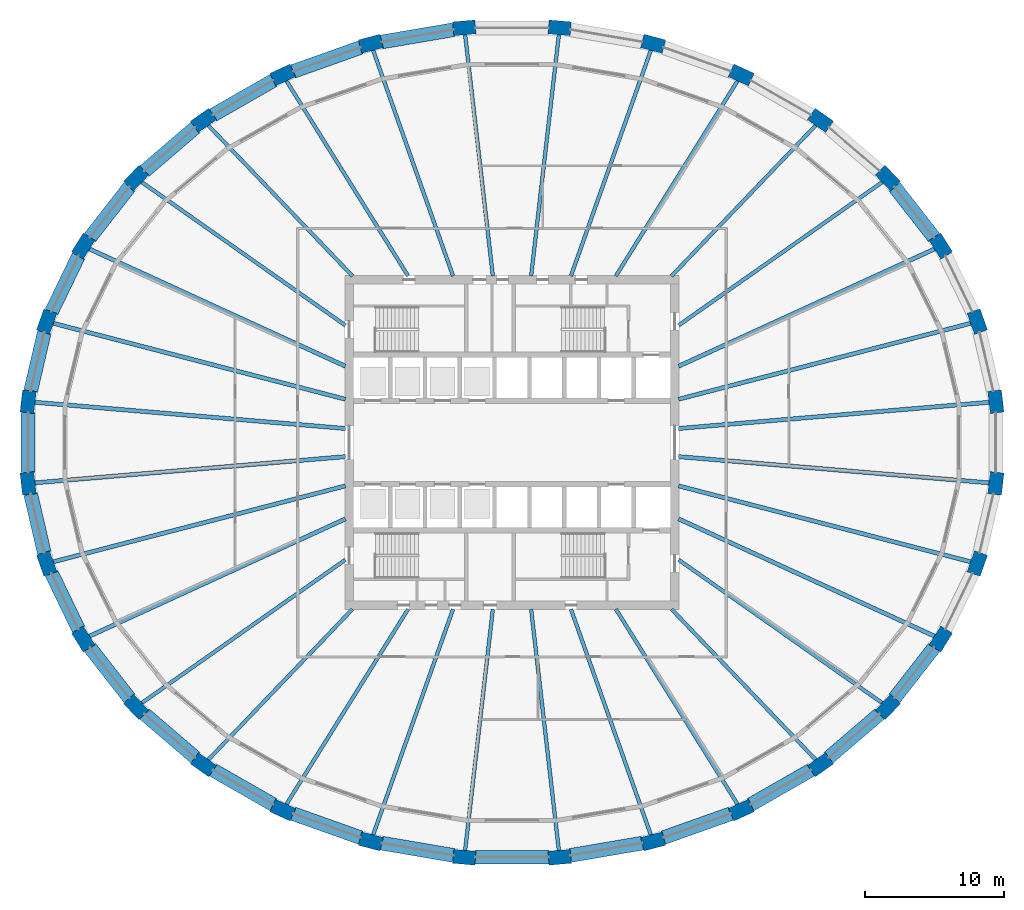
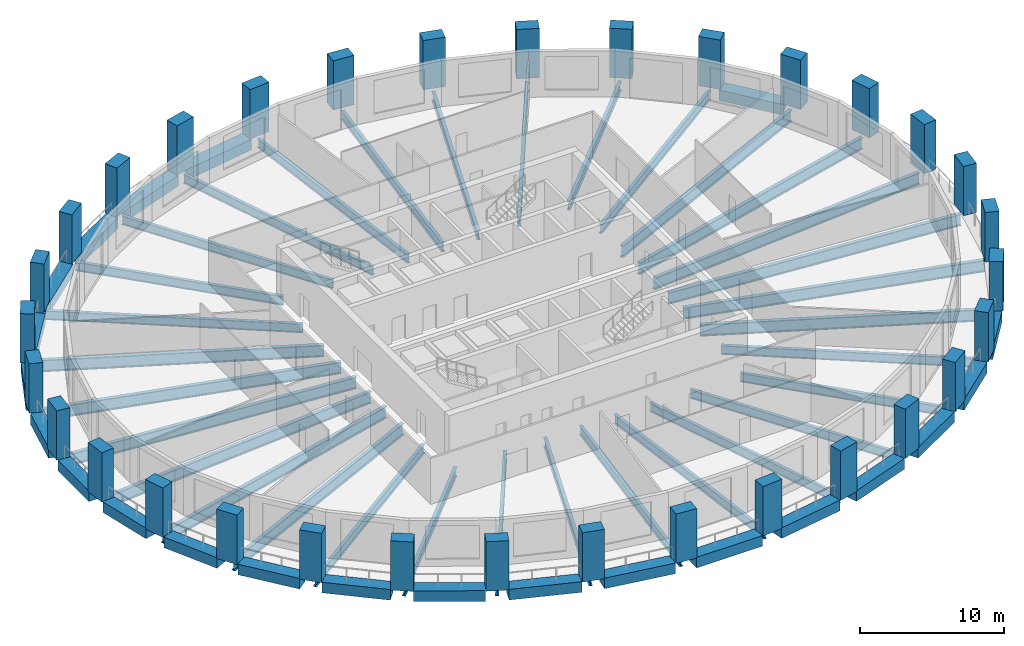
# One storey, part 1 of 10: 54 beams, 32 columns.
"""IFC4 building model written with IfcOpenShell, lengths in metres."""

from ifc_helpers import new_model, si_unit, direction, frame, origin, origin_2d, place, context, subcontext, project, spatial, rectangle, i_section, extrude, material, material_profile, profile_set, type_object, element, save


model = new_model("IFC4")

# Units and contexts
model_context = context("Model", 3, precision=1e-05, world=origin(), true_north=direction((0.0, 1.0)))
body_context = subcontext(model_context, "Body", "Model", "MODEL_VIEW")
ifc_project = project(units=[si_unit("LENGTHUNIT", "METRE"), si_unit("AREAUNIT", "SQUARE_METRE"), si_unit("VOLUMEUNIT", "CUBIC_METRE"), si_unit("PLANEANGLEUNIT", "RADIAN"), si_unit("MASSUNIT", "GRAM", prefix="KILO")], contexts=[model_context])

# Site, building, storey
site_placement = place(None, origin())
site = spatial("IfcSite", under=ifc_project, at=site_placement, CompositionType="ELEMENT")
building_placement = place(site_placement, origin())
building = spatial("IfcBuilding", under=site, at=building_placement, Name="Halqa Exchange Tower", CompositionType="ELEMENT")
storey_placement = place(building_placement, frame((0.0, 0.0, 121.300048828125)))
storey = spatial("IfcBuildingStorey", under=building, at=storey_placement, Name="L27", CompositionType="ELEMENT", Elevation=121.300048828125)

# Columns
ifc_material_1 = material(Name="Concrete C70/85", Category="concrete")
ifc_material_profile_1 = material_profile(ifc_material_1, rectangle(XDim=1.60009765625, YDim=1.0, at=origin_2d()), Name="1600 x 1000")
ifc_profile_set_1 = profile_set([ifc_material_profile_1], Name="Concrete C70/85")
column_type = type_object("IfcColumnType", Name="RC ring column 1600 x 1000 C70/85", PredefinedType="COLUMN", material=ifc_profile_set_1)
for number, where, z_axis, x_axis, name in (
    (1, (34.779052734375, 2.93603515625, 0.0), (0.0, 0.0, 1.0), (-0.114151720218, 0.993463328348, 0.0), "Ring column 1"),
    (2, (33.442626953125, 8.6953125, 0.0), (0.0, 0.0, 1.0), (-0.333624233576, 0.942706142321, 0.0), "Ring column 2"),
    (3, (30.82080078125, 14.12060546875, 0.0), (0.0, 0.0, 1.0), (-0.529141977228, 0.848533303964, 0.0), "Ring column 3"),
    (4, (27.0146484375, 19.003173828125, 0.0), (0.0, 0.0, 1.0), (-0.691573569977, 0.722306027463, 0.0), "Ring column 4"),
    (5, (22.17041015625, 23.155517578125, 0.0), (0.0, 0.0, 1.0), (-0.817906779671, 0.575350762377, 0.0), "Ring column 5"),
    (6, (16.47412109375, 26.41796875, 0.0), (0.0, 0.0, 1.0), (-0.909127095833, 0.416518815449, 0.0), "Ring column 6"),
    (7, (10.144775390625, 28.6650390625, 0.0), (0.0, 0.0, 1.0), (-0.967819942774, 0.251643713153, 0.0), "Ring column 7"),
    (8, (3.42529296875, 29.810791015625, 0.0), (0.0, 0.0, 1.0), (-0.996455518985, 0.084121333105, 0.0), "Ring column 8"),
    (9, (-3.42529296875, 29.810791015625, 0.0), (0.0, 0.0, 1.0), (-0.996455518985, -0.084121333105, 0.0), "Ring column 9"),
    (10, (-10.144775390625, 28.6650390625, 0.0), (0.0, 0.0, 1.0), (-0.967819942774, -0.251643713153, 0.0), "Ring column 10"),
    (11, (-16.47412109375, 26.41796875, 0.0), (0.0, 0.0, 1.0), (-0.909127095833, -0.416518815449, 0.0), "Ring column 11"),
    (12, (-22.17041015625, 23.155517578125, 0.0), (0.0, 0.0, 1.0), (-0.817906779671, -0.575350762377, 0.0), "Ring column 12"),
    (13, (-27.0146484375, 19.003173828125, 0.0), (0.0, 0.0, 1.0), (-0.691573569977, -0.722306027463, 0.0), "Ring column 13"),
    (14, (-30.82080078125, 14.12060546875, 0.0), (0.0, 0.0, 1.0), (-0.529141977228, -0.848533303964, 0.0), "Ring column 14"),
    (15, (-33.442626953125, 8.6953125, 0.0), (0.0, 0.0, 1.0), (-0.333624233576, -0.942706142321, 0.0), "Ring column 15"),
    (16, (-34.779052734375, 2.93603515625, 0.0), (0.0, 0.0, 1.0), (-0.114151720218, -0.993463328348, 0.0), "Ring column 16"),
    (17, (-34.779052734375, -2.93603515625, 0.0), (0.0, 0.0, 1.0), (0.114151720218, -0.993463328348, 0.0), "Ring column 17"),
    (18, (-33.442626953125, -8.6953125, 0.0), (0.0, 0.0, 1.0), (0.333624233576, -0.942706142321, 0.0), "Ring column 18"),
    (19, (-30.82080078125, -14.12060546875, 0.0), (0.0, 0.0, 1.0), (0.529141977228, -0.848533303964, 0.0), "Ring column 19"),
    (20, (-27.0146484375, -19.003173828125, 0.0), (0.0, 0.0, 1.0), (0.691573569977, -0.722306027463, 0.0), "Ring column 20"),
    (21, (-22.17041015625, -23.155517578125, 0.0), (0.0, 0.0, 1.0), (0.817906779671, -0.575350762377, 0.0), "Ring column 21"),
    (22, (-16.47412109375, -26.41796875, 0.0), (0.0, 0.0, 1.0), (0.909127095833, -0.416518815449, 0.0), "Ring column 22"),
    (23, (-10.144775390625, -28.6650390625, 0.0), (0.0, 0.0, 1.0), (0.967819942774, -0.251643713153, 0.0), "Ring column 23"),
    (24, (-3.42529296875, -29.810791015625, 0.0), (0.0, 0.0, 1.0), (0.996455518985, -0.084121333105, 0.0), "Ring column 24"),
    (25, (3.42529296875, -29.810791015625, 0.0), (0.0, 0.0, 1.0), (0.996455518985, 0.084121333105, 0.0), "Ring column 25"),
    (26, (10.144775390625, -28.6650390625, 0.0), (0.0, 0.0, 1.0), (0.967819942774, 0.251643713153, 0.0), "Ring column 26"),
    (27, (16.47412109375, -26.41796875, 0.0), (0.0, 0.0, 1.0), (0.909127095833, 0.416518815449, 0.0), "Ring column 27"),
    (28, (22.17041015625, -23.155517578125, 0.0), (0.0, 0.0, 1.0), (0.817906779671, 0.575350762377, 0.0), "Ring column 28"),
    (29, (27.0146484375, -19.003173828125, 0.0), (0.0, 0.0, 1.0), (0.691573569977, 0.722306027463, 0.0), "Ring column 29"),
    (30, (30.82080078125, -14.12060546875, 0.0), (0.0, 0.0, 1.0), (0.529141977228, 0.848533303964, 0.0), "Ring column 30"),
    (31, (33.442626953125, -8.6953125, 0.0), (0.0, 0.0, 1.0), (0.333624233576, 0.942706142321, 0.0), "Ring column 31"),
    (32, (34.779052734375, -2.93603515625, 0.0), (0.0, 0.0, 1.0), (0.114151720218, 0.993463328348, 0.0), "Ring column 32"),
):
    element("IfcColumn", number, at=place(storey_placement, frame(where, z_axis=z_axis, x_axis=x_axis)), inside=storey, type_object=column_type, Name=name, PredefinedType="COLUMN", context=body_context, shape_type="SweptSolid", body=[
        extrude(rectangle(XDim=1.60009765625, YDim=1.0, at=origin_2d()), origin(), (0.0, 0.0, 1.0), 4.199951171875),
    ])

# Beams
ifc_material_2 = material(Name="Steel S355", Category="steel")
ifc_material_profile_2 = material_profile(ifc_material_2, i_section(OverallWidth=0.300048828125, OverallDepth=0.989990234375, WebThickness=0.0166015625, FlangeThickness=0.031005859375, FilletRadius=0.030029296875, at=origin_2d()), Name="HEA 1000")
ifc_profile_set_2 = profile_set([ifc_material_profile_2], Name="Steel S355")
beam_type_1 = type_object("IfcBeamType", Name="Floor beam HEA 1000", PredefinedType="BEAM", material=ifc_profile_set_2)
beam_1_placement = place(storey_placement, frame((11.972412109375, 1.0107421875, -0.795166015625), z_axis=(0.996455592278, 0.084120464916, 0.0), x_axis=(-0.084120464916, 0.996455592278, 0.0)))
element("IfcBeam", 33, at=beam_1_placement, inside=storey, type_object=beam_type_1, Name="Radial beam 1", PredefinedType="BEAM", context=body_context, shape_type="SweptSolid", body=[
    extrude(i_section(OverallWidth=0.300048828125, OverallDepth=0.989990234375, WebThickness=0.0166015625, FlangeThickness=0.031005859375, FilletRadius=0.030029296875, at=origin_2d()), origin(), (0.0, 0.0, 1.0), 22.515869140625),
])
beam_2_placement = place(storey_placement, frame((11.97119140625, 3.112548828125, -0.795166015625), z_axis=(0.967818799343, 0.251648110738, 0.0), x_axis=(-0.251648110738, 0.967818799343, 0.0)))
element("IfcBeam", 34, at=beam_2_placement, inside=storey, type_object=beam_type_1, Name="Radial beam 2", PredefinedType="BEAM", context=body_context, shape_type="SweptSolid", body=[
    extrude(i_section(OverallWidth=0.300048828125, OverallDepth=0.989990234375, WebThickness=0.0166015625, FlangeThickness=0.031005859375, FilletRadius=0.030029296875, at=origin_2d()), origin(), (0.0, 0.0, 1.0), 21.811279296875),
])
for number, where, z_axis, x_axis, name in (
    (35, (11.972412109375, 5.485107421875, -0.795166015625), (0.909124057245, 0.416525447649, 0.0), (-0.416525447649, 0.909124057245, 0.0), "Radial beam 3"),
    (36, (-11.972412109375, 5.485107421875, -0.795166015625), (-0.909124057245, 0.416525447649, 0.0), (-0.416525447649, -0.909124057245, 0.0), "Radial beam 14"),
):
    element("IfcBeam", number, at=place(storey_placement, frame(where, z_axis=z_axis, x_axis=x_axis)), inside=storey, type_object=beam_type_1, Name=name, PredefinedType="BEAM", context=body_context, shape_type="SweptSolid", body=[
        extrude(i_section(OverallWidth=0.300048828125, OverallDepth=0.989990234375, WebThickness=0.0166015625, FlangeThickness=0.031005859375, FilletRadius=0.030029296875, at=origin_2d()), origin(), (0.0, 0.0, 1.0), 20.3564453125),
    ])
beam_3_placement = place(storey_placement, frame((-11.97119140625, 3.112548828125, -0.795166015625), z_axis=(-0.967818799343, 0.251648110738, 0.0), x_axis=(-0.251648110738, -0.967818799343, 0.0)))
element("IfcBeam", 37, at=beam_3_placement, inside=storey, type_object=beam_type_1, Name="Radial beam 15", PredefinedType="BEAM", context=body_context, shape_type="SweptSolid", body=[
    extrude(i_section(OverallWidth=0.300048828125, OverallDepth=0.989990234375, WebThickness=0.0166015625, FlangeThickness=0.031005859375, FilletRadius=0.030029296875, at=origin_2d()), origin(), (0.0, 0.0, 1.0), 21.811279296875),
])
for number, where, z_axis, x_axis, name in (
    (38, (-11.972412109375, 1.0107421875, -0.795166015625), (-0.996455592278, 0.084120464916, 0.0), (-0.084120464916, -0.996455592278, 0.0), "Radial beam 16"),
    (39, (-11.972412109375, -1.0107421875, -0.795166015625), (-0.996455592278, -0.084120464916, 0.0), (0.084120464916, -0.996455592278, 0.0), "Radial beam 17"),
):
    element("IfcBeam", number, at=place(storey_placement, frame(where, z_axis=z_axis, x_axis=x_axis)), inside=storey, type_object=beam_type_1, Name=name, PredefinedType="BEAM", context=body_context, shape_type="SweptSolid", body=[
        extrude(i_section(OverallWidth=0.300048828125, OverallDepth=0.989990234375, WebThickness=0.0166015625, FlangeThickness=0.031005859375, FilletRadius=0.030029296875, at=origin_2d()), origin(), (0.0, 0.0, 1.0), 22.515869140625),
    ])
beam_4_placement = place(storey_placement, frame((-11.97119140625, -3.112548828125, -0.795166015625), z_axis=(-0.967818799343, -0.251648110738, 0.0), x_axis=(0.251648110738, -0.967818799343, 0.0)))
element("IfcBeam", 40, at=beam_4_placement, inside=storey, type_object=beam_type_1, Name="Radial beam 18", PredefinedType="BEAM", context=body_context, shape_type="SweptSolid", body=[
    extrude(i_section(OverallWidth=0.300048828125, OverallDepth=0.989990234375, WebThickness=0.0166015625, FlangeThickness=0.031005859375, FilletRadius=0.030029296875, at=origin_2d()), origin(), (0.0, 0.0, 1.0), 21.811279296875),
])
for number, where, z_axis, x_axis, name in (
    (41, (-11.972412109375, -5.485107421875, -0.795166015625), (-0.909124057245, -0.416525447649, 0.0), (0.416525447649, -0.909124057245, 0.0), "Radial beam 19"),
    (42, (11.972412109375, -5.485107421875, -0.795166015625), (0.909124057245, -0.416525447649, 0.0), (0.416525447649, 0.909124057245, 0.0), "Radial beam 30"),
):
    element("IfcBeam", number, at=place(storey_placement, frame(where, z_axis=z_axis, x_axis=x_axis)), inside=storey, type_object=beam_type_1, Name=name, PredefinedType="BEAM", context=body_context, shape_type="SweptSolid", body=[
        extrude(i_section(OverallWidth=0.300048828125, OverallDepth=0.989990234375, WebThickness=0.0166015625, FlangeThickness=0.031005859375, FilletRadius=0.030029296875, at=origin_2d()), origin(), (0.0, 0.0, 1.0), 20.3564453125),
    ])
beam_5_placement = place(storey_placement, frame((11.97119140625, -3.112548828125, -0.795166015625), z_axis=(0.967818799343, -0.251648110738, 0.0), x_axis=(0.251648110738, 0.967818799343, 0.0)))
element("IfcBeam", 43, at=beam_5_placement, inside=storey, type_object=beam_type_1, Name="Radial beam 31", PredefinedType="BEAM", context=body_context, shape_type="SweptSolid", body=[
    extrude(i_section(OverallWidth=0.300048828125, OverallDepth=0.989990234375, WebThickness=0.0166015625, FlangeThickness=0.031005859375, FilletRadius=0.030029296875, at=origin_2d()), origin(), (0.0, 0.0, 1.0), 21.811279296875),
])
beam_6_placement = place(storey_placement, frame((11.972412109375, -1.0107421875, -0.795166015625), z_axis=(0.996455592278, -0.084120464916, 0.0), x_axis=(0.084120464916, 0.996455592278, 0.0)))
element("IfcBeam", 44, at=beam_6_placement, inside=storey, type_object=beam_type_1, Name="Radial beam 32", PredefinedType="BEAM", context=body_context, shape_type="SweptSolid", body=[
    extrude(i_section(OverallWidth=0.300048828125, OverallDepth=0.989990234375, WebThickness=0.0166015625, FlangeThickness=0.031005859375, FilletRadius=0.030029296875, at=origin_2d()), origin(), (0.0, 0.0, 1.0), 22.515869140625),
])
ifc_material_profile_3 = material_profile(ifc_material_2, i_section(OverallWidth=0.264892578125, OverallDepth=0.7529296875, WebThickness=0.01318359375, FlangeThickness=0.01708984375, FilletRadius=0.01708984375, at=origin_2d()), Name="IPE 750x147")
ifc_profile_set_3 = profile_set([ifc_material_profile_3], Name="Steel S355")
beam_type_2 = type_object("IfcBeamType", Name="Floor beam IPE 750x147", PredefinedType="BEAM", material=ifc_profile_set_3)
beam_7_placement = place(storey_placement, frame((11.97216796875, 8.421630859375, -0.676513671875), z_axis=(0.817908690116, 0.575348046518, 0.0), x_axis=(-0.575348046518, 0.817908690116, 0.0)))
element("IfcBeam", 45, at=beam_7_placement, inside=storey, type_object=beam_type_2, Name="Radial beam 4", PredefinedType="BEAM", context=body_context, shape_type="SweptSolid", body=[
    extrude(i_section(OverallWidth=0.264892578125, OverallDepth=0.7529296875, WebThickness=0.01318359375, FlangeThickness=0.01708984375, FilletRadius=0.01708984375, at=origin_2d()), origin(), (0.0, 0.0, 1.0), 18.015625),
])
beam_8_placement = place(storey_placement, frame((11.462890625, 11.97216796875, -0.676513671875), z_axis=(0.691578854381, 0.722300967861, 0.0), x_axis=(-0.722300967861, 0.691578854381, 0.0)))
element("IfcBeam", 46, at=beam_8_placement, inside=storey, type_object=beam_type_2, Name="Radial beam 5", PredefinedType="BEAM", context=body_context, shape_type="SweptSolid", body=[
    extrude(i_section(OverallWidth=0.264892578125, OverallDepth=0.7529296875, WebThickness=0.01318359375, FlangeThickness=0.01708984375, FilletRadius=0.01708984375, at=origin_2d()), origin(), (0.0, 0.0, 1.0), 15.106689453125),
])
beam_9_placement = place(storey_placement, frame((7.466064453125, 11.972412109375, -0.676513671875), z_axis=(0.529136571558, 0.848536674894, 0.0), x_axis=(-0.848536674894, 0.529136571558, 0.0)))
element("IfcBeam", 47, at=beam_9_placement, inside=storey, type_object=beam_type_2, Name="Radial beam 6", PredefinedType="BEAM", context=body_context, shape_type="SweptSolid", body=[
    extrude(i_section(OverallWidth=0.264892578125, OverallDepth=0.7529296875, WebThickness=0.01318359375, FlangeThickness=0.01708984375, FilletRadius=0.01708984375, at=origin_2d()), origin(), (0.0, 0.0, 1.0), 16.64794921875),
])
beam_10_placement = place(storey_placement, frame((4.23681640625, 11.9716796875, -0.676513671875), z_axis=(0.333633340588, 0.942702919295, 0.0), x_axis=(-0.942702919295, 0.333633340588, 0.0)))
element("IfcBeam", 48, at=beam_10_placement, inside=storey, type_object=beam_type_2, Name="Radial beam 7", PredefinedType="BEAM", context=body_context, shape_type="SweptSolid", body=[
    extrude(i_section(OverallWidth=0.264892578125, OverallDepth=0.7529296875, WebThickness=0.01318359375, FlangeThickness=0.01708984375, FilletRadius=0.01708984375, at=origin_2d()), origin(), (0.0, 0.0, 1.0), 17.333984375),
])
for number, where, z_axis, x_axis, name in (
    (49, (1.375732421875, 11.972900390625, -0.676513671875), (0.114147670823, 0.993463793626, 0.0), (-0.993463793626, 0.114147670823, 0.0), "Radial beam 8"),
    (50, (-1.375732421875, 11.972900390625, -0.676513671875), (-0.114147670823, 0.993463793626, 0.0), (-0.993463793626, -0.114147670823, 0.0), "Radial beam 9"),
):
    element("IfcBeam", number, at=place(storey_placement, frame(where, z_axis=z_axis, x_axis=x_axis)), inside=storey, type_object=beam_type_2, Name=name, PredefinedType="BEAM", context=body_context, shape_type="SweptSolid", body=[
        extrude(i_section(OverallWidth=0.264892578125, OverallDepth=0.7529296875, WebThickness=0.01318359375, FlangeThickness=0.01708984375, FilletRadius=0.01708984375, at=origin_2d()), origin(), (0.0, 0.0, 1.0), 17.583251953125),
    ])
beam_11_placement = place(storey_placement, frame((-4.23681640625, 11.9716796875, -0.676513671875), z_axis=(-0.333633340588, 0.942702919295, 0.0), x_axis=(-0.942702919295, -0.333633340588, 0.0)))
element("IfcBeam", 51, at=beam_11_placement, inside=storey, type_object=beam_type_2, Name="Radial beam 10", PredefinedType="BEAM", context=body_context, shape_type="SweptSolid", body=[
    extrude(i_section(OverallWidth=0.264892578125, OverallDepth=0.7529296875, WebThickness=0.01318359375, FlangeThickness=0.01708984375, FilletRadius=0.01708984375, at=origin_2d()), origin(), (0.0, 0.0, 1.0), 17.333984375),
])
beam_12_placement = place(storey_placement, frame((-7.466064453125, 11.972412109375, -0.676513671875), z_axis=(-0.529136571558, 0.848536674894, 0.0), x_axis=(-0.848536674894, -0.529136571558, 0.0)))
element("IfcBeam", 52, at=beam_12_placement, inside=storey, type_object=beam_type_2, Name="Radial beam 11", PredefinedType="BEAM", context=body_context, shape_type="SweptSolid", body=[
    extrude(i_section(OverallWidth=0.264892578125, OverallDepth=0.7529296875, WebThickness=0.01318359375, FlangeThickness=0.01708984375, FilletRadius=0.01708984375, at=origin_2d()), origin(), (0.0, 0.0, 1.0), 16.64794921875),
])
beam_13_placement = place(storey_placement, frame((-11.462890625, 11.97216796875, -0.676513671875), z_axis=(-0.691578854381, 0.722300967861, 0.0), x_axis=(-0.722300967861, -0.691578854381, 0.0)))
element("IfcBeam", 53, at=beam_13_placement, inside=storey, type_object=beam_type_2, Name="Radial beam 12", PredefinedType="BEAM", context=body_context, shape_type="SweptSolid", body=[
    extrude(i_section(OverallWidth=0.264892578125, OverallDepth=0.7529296875, WebThickness=0.01318359375, FlangeThickness=0.01708984375, FilletRadius=0.01708984375, at=origin_2d()), origin(), (0.0, 0.0, 1.0), 15.106689453125),
])
for number, where, z_axis, x_axis, name in (
    (54, (-11.97216796875, 8.421630859375, -0.676513671875), (-0.817908690116, 0.575348046518, 0.0), (-0.575348046518, -0.817908690116, 0.0), "Radial beam 13"),
    (55, (-11.97216796875, -8.421630859375, -0.676513671875), (-0.817908690116, -0.575348046518, 0.0), (0.575348046518, -0.817908690116, 0.0), "Radial beam 20"),
):
    element("IfcBeam", number, at=place(storey_placement, frame(where, z_axis=z_axis, x_axis=x_axis)), inside=storey, type_object=beam_type_2, Name=name, PredefinedType="BEAM", context=body_context, shape_type="SweptSolid", body=[
        extrude(i_section(OverallWidth=0.264892578125, OverallDepth=0.7529296875, WebThickness=0.01318359375, FlangeThickness=0.01708984375, FilletRadius=0.01708984375, at=origin_2d()), origin(), (0.0, 0.0, 1.0), 18.015625),
    ])
beam_14_placement = place(storey_placement, frame((-11.462890625, -11.97216796875, -0.676513671875), z_axis=(-0.691578854381, -0.722300967861, 0.0), x_axis=(0.722300967861, -0.691578854381, 0.0)))
element("IfcBeam", 56, at=beam_14_placement, inside=storey, type_object=beam_type_2, Name="Radial beam 21", PredefinedType="BEAM", context=body_context, shape_type="SweptSolid", body=[
    extrude(i_section(OverallWidth=0.264892578125, OverallDepth=0.7529296875, WebThickness=0.01318359375, FlangeThickness=0.01708984375, FilletRadius=0.01708984375, at=origin_2d()), origin(), (0.0, 0.0, 1.0), 15.106689453125),
])
beam_15_placement = place(storey_placement, frame((-7.466064453125, -11.972412109375, -0.676513671875), z_axis=(-0.529136571558, -0.848536674894, 0.0), x_axis=(0.848536674894, -0.529136571558, 0.0)))
element("IfcBeam", 57, at=beam_15_placement, inside=storey, type_object=beam_type_2, Name="Radial beam 22", PredefinedType="BEAM", context=body_context, shape_type="SweptSolid", body=[
    extrude(i_section(OverallWidth=0.264892578125, OverallDepth=0.7529296875, WebThickness=0.01318359375, FlangeThickness=0.01708984375, FilletRadius=0.01708984375, at=origin_2d()), origin(), (0.0, 0.0, 1.0), 16.64794921875),
])
beam_16_placement = place(storey_placement, frame((-4.23681640625, -11.9716796875, -0.676513671875), z_axis=(-0.333633340588, -0.942702919295, 0.0), x_axis=(0.942702919295, -0.333633340588, 0.0)))
element("IfcBeam", 58, at=beam_16_placement, inside=storey, type_object=beam_type_2, Name="Radial beam 23", PredefinedType="BEAM", context=body_context, shape_type="SweptSolid", body=[
    extrude(i_section(OverallWidth=0.264892578125, OverallDepth=0.7529296875, WebThickness=0.01318359375, FlangeThickness=0.01708984375, FilletRadius=0.01708984375, at=origin_2d()), origin(), (0.0, 0.0, 1.0), 17.333984375),
])
for number, where, z_axis, x_axis, name in (
    (59, (-1.375732421875, -11.972900390625, -0.676513671875), (-0.114147670823, -0.993463793626, 0.0), (0.993463793626, -0.114147670823, 0.0), "Radial beam 24"),
    (60, (1.375732421875, -11.972900390625, -0.676513671875), (0.114147670823, -0.993463793626, 0.0), (0.993463793626, 0.114147670823, 0.0), "Radial beam 25"),
):
    element("IfcBeam", number, at=place(storey_placement, frame(where, z_axis=z_axis, x_axis=x_axis)), inside=storey, type_object=beam_type_2, Name=name, PredefinedType="BEAM", context=body_context, shape_type="SweptSolid", body=[
        extrude(i_section(OverallWidth=0.264892578125, OverallDepth=0.7529296875, WebThickness=0.01318359375, FlangeThickness=0.01708984375, FilletRadius=0.01708984375, at=origin_2d()), origin(), (0.0, 0.0, 1.0), 17.583251953125),
    ])
beam_17_placement = place(storey_placement, frame((4.23681640625, -11.9716796875, -0.676513671875), z_axis=(0.333633340588, -0.942702919295, 0.0), x_axis=(0.942702919295, 0.333633340588, 0.0)))
element("IfcBeam", 61, at=beam_17_placement, inside=storey, type_object=beam_type_2, Name="Radial beam 26", PredefinedType="BEAM", context=body_context, shape_type="SweptSolid", body=[
    extrude(i_section(OverallWidth=0.264892578125, OverallDepth=0.7529296875, WebThickness=0.01318359375, FlangeThickness=0.01708984375, FilletRadius=0.01708984375, at=origin_2d()), origin(), (0.0, 0.0, 1.0), 17.333984375),
])
beam_18_placement = place(storey_placement, frame((7.466064453125, -11.972412109375, -0.676513671875), z_axis=(0.529136571558, -0.848536674894, 0.0), x_axis=(0.848536674894, 0.529136571558, 0.0)))
element("IfcBeam", 62, at=beam_18_placement, inside=storey, type_object=beam_type_2, Name="Radial beam 27", PredefinedType="BEAM", context=body_context, shape_type="SweptSolid", body=[
    extrude(i_section(OverallWidth=0.264892578125, OverallDepth=0.7529296875, WebThickness=0.01318359375, FlangeThickness=0.01708984375, FilletRadius=0.01708984375, at=origin_2d()), origin(), (0.0, 0.0, 1.0), 16.64794921875),
])
beam_19_placement = place(storey_placement, frame((11.462890625, -11.97216796875, -0.676513671875), z_axis=(0.691578854381, -0.722300967861, 0.0), x_axis=(0.722300967861, 0.691578854381, 0.0)))
element("IfcBeam", 63, at=beam_19_placement, inside=storey, type_object=beam_type_2, Name="Radial beam 28", PredefinedType="BEAM", context=body_context, shape_type="SweptSolid", body=[
    extrude(i_section(OverallWidth=0.264892578125, OverallDepth=0.7529296875, WebThickness=0.01318359375, FlangeThickness=0.01708984375, FilletRadius=0.01708984375, at=origin_2d()), origin(), (0.0, 0.0, 1.0), 15.106689453125),
])
beam_20_placement = place(storey_placement, frame((11.97216796875, -8.421630859375, -0.676513671875), z_axis=(0.817908690116, -0.575348046518, 0.0), x_axis=(0.575348046518, 0.817908690116, 0.0)))
element("IfcBeam", 64, at=beam_20_placement, inside=storey, type_object=beam_type_2, Name="Radial beam 29", PredefinedType="BEAM", context=body_context, shape_type="SweptSolid", body=[
    extrude(i_section(OverallWidth=0.264892578125, OverallDepth=0.7529296875, WebThickness=0.01318359375, FlangeThickness=0.01708984375, FilletRadius=0.01708984375, at=origin_2d()), origin(), (0.0, 0.0, 1.0), 18.015625),
])
ifc_material_3 = material(Name="Concrete C60/75", Category="concrete")
ifc_material_profile_4 = material_profile(ifc_material_3, rectangle(XDim=1.0, YDim=0.89990234375, at=origin_2d()), Name="1000 x 900")
ifc_profile_set_4 = profile_set([ifc_material_profile_4], Name="Concrete C60/75")
beam_type_3 = type_object("IfcBeamType", Name="RC spandrel beam 1000 x 900 C60/75", PredefinedType="SPANDREL", material=ifc_profile_set_4)
beam_21_placement = place(storey_placement, frame((30.34423828125, 14.732177734375, -0.449951171875), z_axis=(-0.61480732631, 0.788677343098, 0.0), x_axis=(-0.788677343098, -0.61480732631, 0.0)))
element("IfcBeam", 65, at=beam_21_placement, inside=storey, type_object=beam_type_3, Name="Spandrel 3", PredefinedType="SPANDREL", context=body_context, shape_type="SweptSolid", body=[
    extrude(rectangle(XDim=1.0, YDim=0.89990234375, at=origin_2d()), origin(), (0.0, 0.0, 1.0), 4.639404296875),
])
beam_22_placement = place(storey_placement, frame((-4.189453125, 29.680419921875, -0.449951171875), z_axis=(-0.985775606533, -0.168066812797, 0.0), x_axis=(0.168066812797, -0.985775606533, 0.0)))
element("IfcBeam", 66, at=beam_22_placement, inside=storey, type_object=beam_type_3, Name="Spandrel 9", PredefinedType="SPANDREL", context=body_context, shape_type="SweptSolid", body=[
    extrude(rectangle(XDim=1.0, YDim=0.89990234375, at=origin_2d()), origin(), (0.0, 0.0, 1.0), 5.265869140625),
])
beam_23_placement = place(storey_placement, frame((-10.8759765625, 28.405517578125, -0.449951171875), z_axis=(-0.942360462003, -0.334599401754, 0.0), x_axis=(0.334599401754, -0.942360462003, 0.0)))
element("IfcBeam", 67, at=beam_23_placement, inside=storey, type_object=beam_type_3, Name="Spandrel 10", PredefinedType="SPANDREL", context=body_context, shape_type="SweptSolid", body=[
    extrude(rectangle(XDim=1.0, YDim=0.89990234375, at=origin_2d()), origin(), (0.0, 0.0, 1.0), 5.166015625),
])
beam_24_placement = place(storey_placement, frame((-17.14697265625, 26.032470703125, -0.449951171875), z_axis=(-0.867751350461, -0.496998585283, 0.0), x_axis=(0.496998585283, -0.867751350461, 0.0)))
element("IfcBeam", 68, at=beam_24_placement, inside=storey, type_object=beam_type_3, Name="Spandrel 11", PredefinedType="SPANDREL", context=body_context, shape_type="SweptSolid", body=[
    extrude(rectangle(XDim=1.0, YDim=0.89990234375, at=origin_2d()), origin(), (0.0, 0.0, 1.0), 5.014404296875),
])
beam_25_placement = place(storey_placement, frame((-22.75927734375, 22.650634765625, -0.449951171875), z_axis=(-0.759285146525, -0.650758070459, 0.0), x_axis=(0.650758070459, -0.759285146525, 0.0)))
element("IfcBeam", 69, at=beam_25_placement, inside=storey, type_object=beam_type_3, Name="Spandrel 12", PredefinedType="SPANDREL", context=body_context, shape_type="SweptSolid", body=[
    extrude(rectangle(XDim=1.0, YDim=0.89990234375, at=origin_2d()), origin(), (0.0, 0.0, 1.0), 4.829833984375),
])
beam_26_placement = place(storey_placement, frame((-27.491943359375, 18.39111328125, -0.449951171875), z_axis=(-0.61480732631, -0.788677343098, 0.0), x_axis=(0.788677343098, -0.61480732631, 0.0)))
element("IfcBeam", 70, at=beam_26_placement, inside=storey, type_object=beam_type_3, Name="Spandrel 13", PredefinedType="SPANDREL", context=body_context, shape_type="SweptSolid", body=[
    extrude(rectangle(XDim=1.0, YDim=0.89990234375, at=origin_2d()), origin(), (0.0, 0.0, 1.0), 4.639404296875),
])
beam_27_placement = place(storey_placement, frame((-31.15869140625, 13.42138671875, -0.449951171875), z_axis=(-0.435117021664, -0.900373909805, 0.0), x_axis=(0.900373909805, -0.435117021664, 0.0)))
element("IfcBeam", 71, at=beam_27_placement, inside=storey, type_object=beam_type_3, Name="Spandrel 14", PredefinedType="SPANDREL", context=body_context, shape_type="SweptSolid", body=[
    extrude(rectangle(XDim=1.0, YDim=0.89990234375, at=origin_2d()), origin(), (0.0, 0.0, 1.0), 4.471435546875),
])
beam_28_placement = place(storey_placement, frame((-33.6181640625, 7.93896484375, -0.449951171875), z_axis=(-0.226066118641, -0.974111959686, 0.0), x_axis=(0.974111959686, -0.226066118641, 0.0)))
element("IfcBeam", 72, at=beam_28_placement, inside=storey, type_object=beam_type_3, Name="Spandrel 15", PredefinedType="SPANDREL", context=body_context, shape_type="SweptSolid", body=[
    extrude(rectangle(XDim=1.0, YDim=0.89990234375, at=origin_2d()), origin(), (0.0, 0.0, 1.0), 4.358642578125),
])
beam_29_placement = place(storey_placement, frame((-34.779052734375, 2.15869140625, -0.449951171875), z_axis=(0.0, -1.0, 0.0), x_axis=(1.0, 0.0, 0.0)))
element("IfcBeam", 73, at=beam_29_placement, inside=storey, type_object=beam_type_3, Name="Spandrel 16", PredefinedType="SPANDREL", context=body_context, shape_type="SweptSolid", body=[
    extrude(rectangle(XDim=1.0, YDim=0.89990234375, at=origin_2d()), origin(), (0.0, 0.0, 1.0), 4.3173828125),
])
beam_30_placement = place(storey_placement, frame((-34.603515625, -3.693115234375, -0.449951171875), z_axis=(0.226066118641, -0.974111959686, 0.0), x_axis=(0.974111959686, 0.226066118641, 0.0)))
element("IfcBeam", 74, at=beam_30_placement, inside=storey, type_object=beam_type_3, Name="Spandrel 17", PredefinedType="SPANDREL", context=body_context, shape_type="SweptSolid", body=[
    extrude(rectangle(XDim=1.0, YDim=0.89990234375, at=origin_2d()), origin(), (0.0, 0.0, 1.0), 4.358642578125),
])
beam_31_placement = place(storey_placement, frame((-33.104248046875, -9.3955078125, -0.449951171875), z_axis=(0.435117021664, -0.900373909805, 0.0), x_axis=(0.900373909805, 0.435117021664, 0.0)))
element("IfcBeam", 75, at=beam_31_placement, inside=storey, type_object=beam_type_3, Name="Spandrel 18", PredefinedType="SPANDREL", context=body_context, shape_type="SweptSolid", body=[
    extrude(rectangle(XDim=1.0, YDim=0.89990234375, at=origin_2d()), origin(), (0.0, 0.0, 1.0), 4.471435546875),
])
beam_32_placement = place(storey_placement, frame((-30.34423828125, -14.732177734375, -0.449951171875), z_axis=(0.61480732631, -0.788677343098, 0.0), x_axis=(0.788677343098, 0.61480732631, 0.0)))
element("IfcBeam", 76, at=beam_32_placement, inside=storey, type_object=beam_type_3, Name="Spandrel 19", PredefinedType="SPANDREL", context=body_context, shape_type="SweptSolid", body=[
    extrude(rectangle(XDim=1.0, YDim=0.89990234375, at=origin_2d()), origin(), (0.0, 0.0, 1.0), 4.639404296875),
])
beam_33_placement = place(storey_placement, frame((-26.426513671875, -19.507568359375, -0.449951171875), z_axis=(0.759285146525, -0.650758070459, 0.0), x_axis=(0.650758070459, 0.759285146525, 0.0)))
element("IfcBeam", 77, at=beam_33_placement, inside=storey, type_object=beam_type_3, Name="Spandrel 20", PredefinedType="SPANDREL", context=body_context, shape_type="SweptSolid", body=[
    extrude(rectangle(XDim=1.0, YDim=0.89990234375, at=origin_2d()), origin(), (0.0, 0.0, 1.0), 4.829833984375),
])
beam_34_placement = place(storey_placement, frame((-21.498291015625, -23.540283203125, -0.449951171875), z_axis=(0.867751350461, -0.496998585283, 0.0), x_axis=(0.496998585283, 0.867751350461, 0.0)))
element("IfcBeam", 78, at=beam_34_placement, inside=storey, type_object=beam_type_3, Name="Spandrel 21", PredefinedType="SPANDREL", context=body_context, shape_type="SweptSolid", body=[
    extrude(rectangle(XDim=1.0, YDim=0.89990234375, at=origin_2d()), origin(), (0.0, 0.0, 1.0), 5.014404296875),
])
beam_35_placement = place(storey_placement, frame((-15.744140625, -26.677001953125, -0.449951171875), z_axis=(0.942360462003, -0.334599401754, 0.0), x_axis=(0.334599401754, 0.942360462003, 0.0)))
element("IfcBeam", 79, at=beam_35_placement, inside=storey, type_object=beam_type_3, Name="Spandrel 22", PredefinedType="SPANDREL", context=body_context, shape_type="SweptSolid", body=[
    extrude(rectangle(XDim=1.0, YDim=0.89990234375, at=origin_2d()), origin(), (0.0, 0.0, 1.0), 5.166015625),
])
beam_36_placement = place(storey_placement, frame((-9.38037109375, -28.79541015625, -0.449951171875), z_axis=(0.985775606533, -0.168066812797, 0.0), x_axis=(0.168066812797, 0.985775606533, 0.0)))
element("IfcBeam", 80, at=beam_36_placement, inside=storey, type_object=beam_type_3, Name="Spandrel 23", PredefinedType="SPANDREL", context=body_context, shape_type="SweptSolid", body=[
    extrude(rectangle(XDim=1.0, YDim=0.89990234375, at=origin_2d()), origin(), (0.0, 0.0, 1.0), 5.265869140625),
])
beam_37_placement = place(storey_placement, frame((-2.650634765625, -29.810791015625, -0.449951171875), z_axis=(1.0, 0.0, 0.0), x_axis=(0.0, 1.0, 0.0)))
element("IfcBeam", 81, at=beam_37_placement, inside=storey, type_object=beam_type_3, Name="Spandrel 24", PredefinedType="SPANDREL", context=body_context, shape_type="SweptSolid", body=[
    extrude(rectangle(XDim=1.0, YDim=0.89990234375, at=origin_2d()), origin(), (0.0, 0.0, 1.0), 5.30126953125),
])
beam_38_placement = place(storey_placement, frame((4.189453125, -29.680419921875, -0.449951171875), z_axis=(0.985775606533, 0.168066812797, 0.0), x_axis=(-0.168066812797, 0.985775606533, 0.0)))
element("IfcBeam", 82, at=beam_38_placement, inside=storey, type_object=beam_type_3, Name="Spandrel 25", PredefinedType="SPANDREL", context=body_context, shape_type="SweptSolid", body=[
    extrude(rectangle(XDim=1.0, YDim=0.89990234375, at=origin_2d()), origin(), (0.0, 0.0, 1.0), 5.265869140625),
])
beam_39_placement = place(storey_placement, frame((10.8759765625, -28.405517578125, -0.449951171875), z_axis=(0.942360462003, 0.334599401754, 0.0), x_axis=(-0.334599401754, 0.942360462003, 0.0)))
element("IfcBeam", 83, at=beam_39_placement, inside=storey, type_object=beam_type_3, Name="Spandrel 26", PredefinedType="SPANDREL", context=body_context, shape_type="SweptSolid", body=[
    extrude(rectangle(XDim=1.0, YDim=0.89990234375, at=origin_2d()), origin(), (0.0, 0.0, 1.0), 5.166015625),
])
beam_40_placement = place(storey_placement, frame((17.14697265625, -26.032470703125, -0.449951171875), z_axis=(0.867751350461, 0.496998585283, 0.0), x_axis=(-0.496998585283, 0.867751350461, 0.0)))
element("IfcBeam", 84, at=beam_40_placement, inside=storey, type_object=beam_type_3, Name="Spandrel 27", PredefinedType="SPANDREL", context=body_context, shape_type="SweptSolid", body=[
    extrude(rectangle(XDim=1.0, YDim=0.89990234375, at=origin_2d()), origin(), (0.0, 0.0, 1.0), 5.014404296875),
])
beam_41_placement = place(storey_placement, frame((22.75927734375, -22.650634765625, -0.449951171875), z_axis=(0.759285146525, 0.650758070459, 0.0), x_axis=(-0.650758070459, 0.759285146525, 0.0)))
element("IfcBeam", 85, at=beam_41_placement, inside=storey, type_object=beam_type_3, Name="Spandrel 28", PredefinedType="SPANDREL", context=body_context, shape_type="SweptSolid", body=[
    extrude(rectangle(XDim=1.0, YDim=0.89990234375, at=origin_2d()), origin(), (0.0, 0.0, 1.0), 4.829833984375),
])
beam_42_placement = place(storey_placement, frame((27.491943359375, -18.39111328125, -0.449951171875), z_axis=(0.61480732631, 0.788677343098, 0.0), x_axis=(-0.788677343098, 0.61480732631, 0.0)))
element("IfcBeam", 86, at=beam_42_placement, inside=storey, type_object=beam_type_3, Name="Spandrel 29", PredefinedType="SPANDREL", context=body_context, shape_type="SweptSolid", body=[
    extrude(rectangle(XDim=1.0, YDim=0.89990234375, at=origin_2d()), origin(), (0.0, 0.0, 1.0), 4.639404296875),
])

save(model, "model.ifc")
